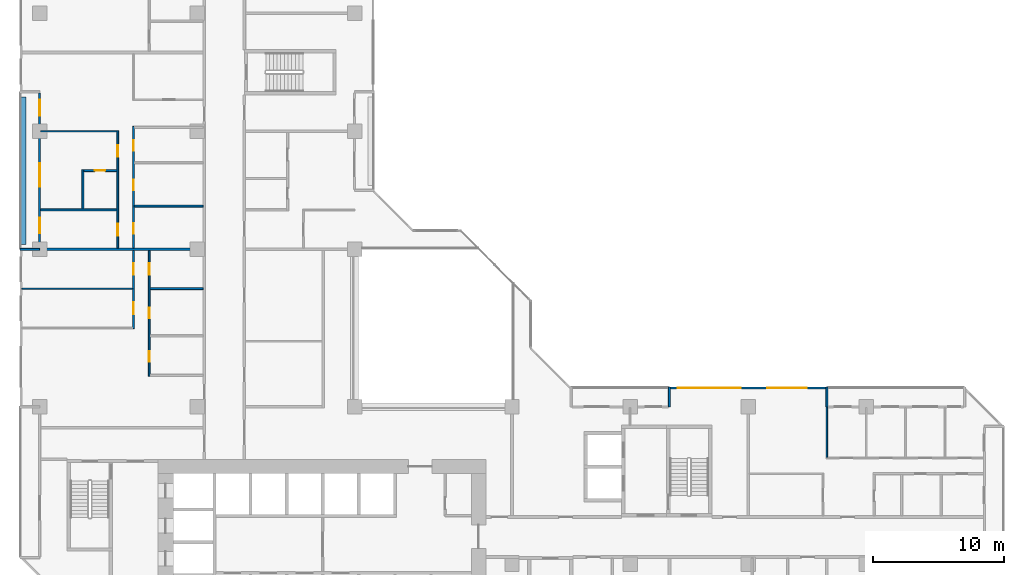
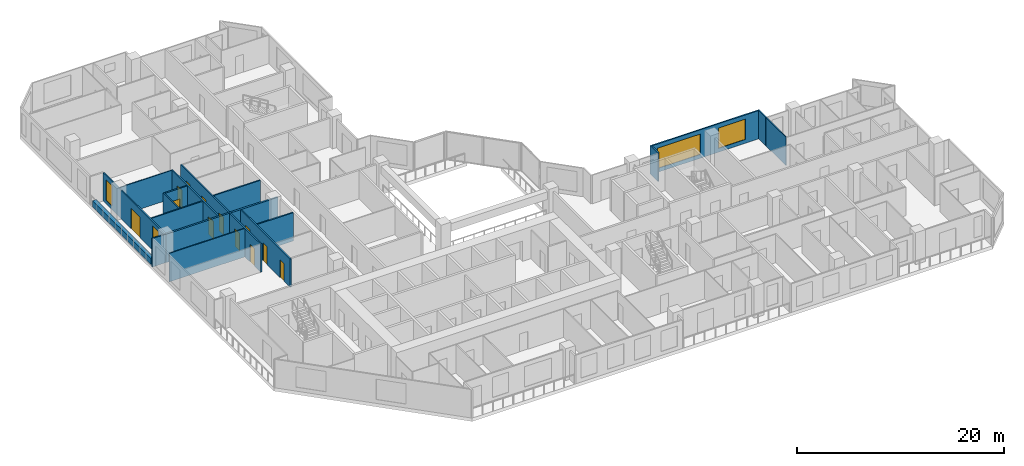
# One storey, part 8 of 15: 19 walls, 12 doors, 4 windows, 16 openings.
"""IFC4 building model written with IfcOpenShell, lengths in metres."""

from ifc_helpers import new_model, si_unit, direction, frame, frame_2d, origin, place, context, subcontext, project, spatial, rectangle, extrude, material, layer, layer_set, type_object, element, fill, save


model = new_model("IFC4")

# Units and contexts
model_context = context("Model", 3, precision=1e-05, world=origin(), true_north=direction((0.0, 1.0)))
body_context = subcontext(model_context, "Body", "Model", "MODEL_VIEW")
ifc_project = project(units=[si_unit("LENGTHUNIT", "METRE"), si_unit("AREAUNIT", "SQUARE_METRE"), si_unit("VOLUMEUNIT", "CUBIC_METRE"), si_unit("PLANEANGLEUNIT", "RADIAN"), si_unit("MASSUNIT", "GRAM", prefix="KILO")], contexts=[model_context])

# Site, building, storey
site_placement = place(None, origin())
site = spatial("IfcSite", under=ifc_project, at=site_placement, CompositionType="ELEMENT")
building_placement = place(site_placement, origin())
building = spatial("IfcBuilding", under=site, at=building_placement, Name="Chenar Terraces", CompositionType="ELEMENT")
storey_placement = place(building_placement, frame((0.0, 0.0, 45.14990234375)))
storey = spatial("IfcBuildingStorey", under=building, at=storey_placement, Name="L08", CompositionType="ELEMENT", Elevation=45.14990234375)

# Wall, openings, windows
ifc_material_1 = material(Name="Aluminium framed glazing", Category="aluminium")
ifc_layer_1 = layer(ifc_material_1, 0.14990234375)
ifc_layer_set_1 = layer_set([ifc_layer_1], Name="Aluminium framed glazing")
wall_type_1 = type_object("IfcWallType", Name="Glazed flush facade wall 150", PredefinedType="SOLIDWALL", material=ifc_layer_set_1)
wall_1_placement = place(storey_placement, frame((59.925048828125, 25.425048828125, 0.0), z_axis=(0.0, 0.0, 1.0), x_axis=(-1.0, 0.0, 0.0)))
wall_1 = element("IfcWall", 1, at=wall_1_placement, inside=storey, type_object=wall_type_1, Name="Glazed flush facade wall", PredefinedType="SOLIDWALL", context=body_context, shape_type="SweptSolid", body=[
    extrude(rectangle(XDim=11.85009765625, YDim=0.14990234375, at=frame_2d((5.925048828125, 0.0))), origin(), (0.0, 0.0, 1.0), 3.35009765625),
])
opening_1_placement = place(wall_1_placement, frame((1.46240234375, 0.0, 0.449951171875)))
opening_1 = element("IfcOpeningElement", 2, at=opening_1_placement, cuts=wall_1, Name="Opening W300x240", PredefinedType="OPENING", context=body_context, shape_type="SweptSolid", body=[
    extrude(rectangle(XDim=3.0, YDim=2.39990234375, at=frame_2d((1.5, 1.199951171875))), frame((0.0, 0.0849609375, 0.0), z_axis=(0.0, -1.0, 0.0), x_axis=(1.0, 0.0, 0.0)), (0.0, 0.0, 1.0), 0.169921875),
])
opening_2_placement = place(wall_1_placement, frame((6.487548828125, 0.0, 0.449951171875)))
opening_2 = element("IfcOpeningElement", 3, at=opening_2_placement, cuts=wall_1, Name="Opening W480x240", PredefinedType="OPENING", context=body_context, shape_type="SweptSolid", body=[
    extrude(rectangle(XDim=4.800048828125, YDim=2.39990234375, at=frame_2d((2.39990234375, 1.199951171875))), frame((0.0, 0.0849609375, 0.0), z_axis=(0.0, -1.0, 0.0), x_axis=(1.0, 0.0, 0.0)), (0.0, 0.0, 1.0), 0.169921875),
])
ifc_material_2 = material(Name="Low emissivity double glazing, aluminium frame", Category="aluminium")
window_type_1 = type_object("IfcWindowType", Name="Fixed light 3000 x 2400", PartitioningType="SINGLE_PANEL", PredefinedType="WINDOW", material=ifc_material_2)
window_1_placement = place(opening_1_placement, origin())
window_1 = element("IfcWindow", 4, at=window_1_placement, inside=storey, type_object=window_type_1, Name="Window", OverallHeight=2.39990234375, OverallWidth=3.0, PartitioningType="SINGLE_PANEL", PredefinedType="WINDOW", context=body_context, shape_type="SweptSolid", body=[
    extrude(rectangle(XDim=3.0, YDim=2.39990234375, at=frame_2d((1.5, 1.199951171875))), frame((0.0, 0.030029296875, 0.0), z_axis=(0.0, -1.0, 0.0), x_axis=(1.0, 0.0, 0.0)), (0.0, 0.0, 1.0), 0.06005859375),
])
fill(opening_1, window_1)
ifc_material_3 = material(Name="Low emissivity double glazing, aluminium frame", Category="aluminium")
window_type_2 = type_object("IfcWindowType", Name="Fixed light 4800 x 2400", PartitioningType="SINGLE_PANEL", PredefinedType="WINDOW", material=ifc_material_3)
window_2_placement = place(opening_2_placement, origin())
window_2 = element("IfcWindow", 5, at=window_2_placement, inside=storey, type_object=window_type_2, Name="Window", OverallHeight=2.39990234375, OverallWidth=4.800048828125, PartitioningType="SINGLE_PANEL", PredefinedType="WINDOW", context=body_context, shape_type="SweptSolid", body=[
    extrude(rectangle(XDim=4.800048828125, YDim=2.39990234375, at=frame_2d((2.39990234375, 1.199951171875))), frame((0.0, 0.030029296875, 0.0), z_axis=(0.0, -1.0, 0.0), x_axis=(1.0, 0.0, 0.0)), (0.0, 0.0, 1.0), 0.06005859375),
])
fill(opening_2, window_2)

# Wall, openings, windows, door
ifc_material_4 = material(Name="Aluminium framed glazing", Category="aluminium")
ifc_layer_2 = layer(ifc_material_4, 0.14990234375)
ifc_layer_set_2 = layer_set([ifc_layer_2], Name="Aluminium framed glazing")
wall_type_2 = type_object("IfcWallType", Name="Glazed loggia back wall 150", PredefinedType="SOLIDWALL", material=ifc_layer_set_2)
wall_2_placement = place(storey_placement, frame((0.0, 47.925048828125, 0.0), z_axis=(0.0, 0.0, 1.0), x_axis=(0.0, -1.0, 0.0)))
wall_2 = element("IfcWall", 6, at=wall_2_placement, inside=storey, type_object=wall_type_2, Name="Glazed loggia back wall", PredefinedType="SOLIDWALL", context=body_context, shape_type="SweptSolid", body=[
    extrude(rectangle(XDim=11.85009765625, YDim=0.14990234375, at=frame_2d((5.925048828125, 0.0))), origin(), (0.0, 0.0, 1.0), 3.35009765625),
])
opening_3_placement = place(wall_2_placement, frame((0.53759765625, 0.0, 0.449951171875)))
opening_3 = element("IfcOpeningElement", 7, at=opening_3_placement, cuts=wall_2, Name="Opening W120x240", PredefinedType="OPENING", context=body_context, shape_type="SweptSolid", body=[
    extrude(rectangle(XDim=1.199951171875, YDim=2.39990234375, at=frame_2d((0.60009765625, 1.199951171875))), frame((0.0, 0.0849609375, 0.0), z_axis=(0.0, -1.0, 0.0), x_axis=(1.0, 0.0, 0.0)), (0.0, 0.0, 1.0), 0.169921875),
])
opening_4_placement = place(wall_2_placement, frame((5.35009765625, 0.0, 0.0)))
opening_4 = element("IfcOpeningElement", 8, at=opening_4_placement, cuts=wall_2, Name="Opening DL08-G4", PredefinedType="OPENING", context=body_context, shape_type="SweptSolid", body=[
    extrude(rectangle(XDim=1.800048828125, YDim=2.39990234375, at=frame_2d((0.89990234375, 1.199951171875))), frame((0.0, 0.0849609375, 0.0), z_axis=(0.0, -1.0, 0.0), x_axis=(1.0, 0.0, 0.0)), (0.0, 0.0, 1.0), 0.169921875),
])
opening_5_placement = place(wall_2_placement, frame((9.5, 0.0, 0.449951171875)))
opening_5 = element("IfcOpeningElement", 9, at=opening_5_placement, cuts=wall_2, Name="Opening W120x240", PredefinedType="OPENING", context=body_context, shape_type="SweptSolid", body=[
    extrude(rectangle(XDim=1.199951171875, YDim=2.39990234375, at=frame_2d((0.60009765625, 1.199951171875))), frame((0.0, 0.0849609375, 0.0), z_axis=(0.0, -1.0, 0.0), x_axis=(1.0, 0.0, 0.0)), (0.0, 0.0, 1.0), 0.169921875),
])
ifc_material_5 = material(Name="Low emissivity double glazing, aluminium frame", Category="aluminium")
window_type_3 = type_object("IfcWindowType", Name="Fixed light 1200 x 2400", PartitioningType="SINGLE_PANEL", PredefinedType="WINDOW", material=ifc_material_5)
window_3_placement = place(opening_3_placement, origin())
window_3 = element("IfcWindow", 10, at=window_3_placement, inside=storey, type_object=window_type_3, Name="Window", OverallHeight=2.39990234375, OverallWidth=1.199951171875, PartitioningType="SINGLE_PANEL", PredefinedType="WINDOW", context=body_context, shape_type="SweptSolid", body=[
    extrude(rectangle(XDim=1.199951171875, YDim=2.39990234375, at=frame_2d((0.60009765625, 1.199951171875))), frame((0.0, 0.030029296875, 0.0), z_axis=(0.0, -1.0, 0.0), x_axis=(1.0, 0.0, 0.0)), (0.0, 0.0, 1.0), 0.06005859375),
])
fill(opening_3, window_3)
window_4_placement = place(opening_5_placement, origin())
window_4 = element("IfcWindow", 11, at=window_4_placement, inside=storey, type_object=window_type_3, Name="Window", OverallHeight=2.39990234375, OverallWidth=1.199951171875, PartitioningType="SINGLE_PANEL", PredefinedType="WINDOW", context=body_context, shape_type="SweptSolid", body=[
    extrude(rectangle(XDim=1.199951171875, YDim=2.39990234375, at=frame_2d((0.60009765625, 1.199951171875))), frame((0.0, 0.030029296875, 0.0), z_axis=(0.0, -1.0, 0.0), x_axis=(1.0, 0.0, 0.0)), (0.0, 0.0, 1.0), 0.06005859375),
])
fill(opening_5, window_4)
ifc_material_6 = material(Name="Low emissivity double glazing, aluminium frame", Category="aluminium")
door_type_1 = type_object("IfcDoorType", Name="Loggia glazed double door 1800 x 2400", OperationType="DOUBLE_DOOR_SINGLE_SWING", PredefinedType="DOOR", material=ifc_material_6)
door_1_placement = place(opening_4_placement, frame((1.800048828125, 0.0, 0.0), z_axis=(0.0, 0.0, 1.0), x_axis=(-1.0, 0.0, 0.0)))
door_1 = element("IfcDoor", 12, at=door_1_placement, inside=storey, type_object=door_type_1, Name="Loggia glazed door", OperationType="DOUBLE_DOOR_SINGLE_SWING", OverallHeight=2.39990234375, OverallWidth=1.800048828125, PredefinedType="DOOR", context=body_context, shape_type="SweptSolid", body=[
    extrude(rectangle(XDim=1.800048828125, YDim=2.39990234375, at=frame_2d((0.89990234375, 1.199951171875))), frame((0.0, 0.02490234375, 0.0), z_axis=(0.0, -1.0, 0.0), x_axis=(1.0, 0.0, 0.0)), (0.0, 0.0, 1.0), 0.050048828125),
])
fill(opening_4, door_1)

# Walls
ifc_material_7 = material(Name="Gypsum board on steel studs", Category="steel")
ifc_layer_3 = layer(ifc_material_7, 0.10009765625)
ifc_layer_set_3 = layer_set([ifc_layer_3], Name="Gypsum board on steel studs")
wall_type_3 = type_object("IfcWallType", Name="Gypsum partition 100", PredefinedType="PARTITIONING", material=ifc_layer_set_3)
wall_3_placement = place(storey_placement, frame((-1.35107421875, 33.0, 0.0), z_axis=(0.0, 0.0, 1.0), x_axis=(1.0, 0.0, 0.0)))
element("IfcWall", 13, at=wall_3_placement, inside=storey, type_object=wall_type_3, Name="Partition L08-001", PredefinedType="PARTITIONING", context=body_context, shape_type="SweptSolid", body=[
    extrude(rectangle(XDim=8.426025390625, YDim=0.10009765625, at=frame_2d((4.212890625, 0.0))), origin(), (0.0, 0.0, 1.0), 3.35009765625),
])
wall_4_placement = place(storey_placement, frame((0.073974609375, 45.0, 0.0), z_axis=(0.0, 0.0, 1.0), x_axis=(1.0, 0.0, 0.0)))
element("IfcWall", 14, at=wall_4_placement, inside=storey, type_object=wall_type_3, Name="Partition L08-010", PredefinedType="PARTITIONING", context=body_context, shape_type="SweptSolid", body=[
    extrude(rectangle(XDim=5.801025390625, YDim=0.10009765625, at=frame_2d((2.900390625, 0.0))), origin(), (0.0, 0.0, 1.0), 3.35009765625),
])
wall_5_placement = place(storey_placement, frame((60.0, 20.14990234375, 0.0), z_axis=(0.0, 0.0, 1.0), x_axis=(0.0, 1.0, 0.0)))
element("IfcWall", 15, at=wall_5_placement, inside=storey, type_object=wall_type_3, Name="Partition L08-086", PredefinedType="PARTITIONING", context=body_context, shape_type="SweptSolid", body=[
    extrude(rectangle(XDim=3.85009765625, YDim=0.10009765625, at=frame_2d((1.925048828125, 0.0))), origin(), (0.0, 0.0, 1.0), 3.35009765625),
])
ifc_material_8 = material(Name="Terracotta cladding on insulated backing", Category="masonry")
ifc_layer_4 = layer(ifc_material_8, 0.14990234375)
ifc_layer_set_4 = layer_set([ifc_layer_4], Name="Terracotta cladding on insulated backing")
wall_type_4 = type_object("IfcWallType", Name="Loggia return wall 150", PredefinedType="SOLIDWALL", material=ifc_layer_set_4)
for number, where, z_axis, x_axis, name in (
    (16, (60.0, 25.5, 0.0), (0.0, 0.0, 1.0), (0.0, -1.0, 0.0), "Loggia return wall"),
    (17, (48.0, 25.5, 0.0), (0.0, 0.0, 1.0), (0.0, -1.0, 0.0), "Loggia return wall"),
    (18, (-1.5, 36.0, 0.0), (0.0, 0.0, 1.0), (1.0, 0.0, 0.0), "Loggia return wall"),
):
    element("IfcWall", number, at=place(storey_placement, frame(where, z_axis=z_axis, x_axis=x_axis)), inside=storey, type_object=wall_type_4, Name=name, PredefinedType="SOLIDWALL", context=body_context, shape_type="SweptSolid", body=[
        extrude(rectangle(XDim=1.5, YDim=0.14990234375, at=frame_2d((0.75, 0.0))), origin(), (0.0, 0.0, 1.0), 3.35009765625),
    ])
ifc_material_9 = material(Name="Twin gypsum board on steel studs with mineral wool", Category="steel")
ifc_layer_5 = layer(ifc_material_9, 0.199951171875)
ifc_layer_set_5 = layer_set([ifc_layer_5], Name="Twin gypsum board on steel studs with mineral wool")
wall_type_5 = type_object("IfcWallType", Name="Unit demising wall 200", PredefinedType="PARTITIONING", material=ifc_layer_set_5)
wall_6_placement = place(storey_placement, frame((0.0, 36.0, 0.0), z_axis=(0.0, 0.0, 1.0), x_axis=(1.0, 0.0, 0.0)))
element("IfcWall", 19, at=wall_6_placement, inside=storey, type_object=wall_type_5, Name="Partition L08-004", PredefinedType="PARTITIONING", context=body_context, shape_type="SweptSolid", body=[
    extrude(rectangle(XDim=12.449951171875, YDim=0.199951171875, at=frame_2d((6.22509765625, 0.0))), origin(), (0.0, 0.0, 1.0), 3.35009765625),
])
ifc_material_10 = material(Name="GRP planter trough")
ifc_layer_6 = layer(ifc_material_10, 0.39990234375)
ifc_layer_set_6 = layer_set([ifc_layer_6], Name="GRP planter trough")
wall_type_6 = type_object("IfcWallType", Name="Vertical greenery planter 400", PredefinedType="SOLIDWALL", material=ifc_layer_set_6)
wall_7_placement = place(storey_placement, frame((-1.22900390625, 47.625, 0.0), z_axis=(0.0, 0.0, 1.0), x_axis=(0.0, -1.0, 0.0)))
element("IfcWall", 20, at=wall_7_placement, inside=storey, type_object=wall_type_6, Name="Vertical greenery planter", PredefinedType="SOLIDWALL", context=body_context, shape_type="SweptSolid", body=[
    extrude(rectangle(XDim=11.25, YDim=0.39990234375, at=frame_2d((5.625, 0.0))), origin(), (0.0, 0.0, 1.0), 0.7001953125),
])
ifc_material_11 = material(Name="Moisture-resistant gypsum board on steel studs", Category="steel")
ifc_layer_7 = layer(ifc_material_11, 0.14990234375)
ifc_layer_set_7 = layer_set([ifc_layer_7], Name="Moisture-resistant gypsum board on steel studs")
wall_type_7 = type_object("IfcWallType", Name="Wet-room partition 150", PredefinedType="PARTITIONING", material=ifc_layer_set_7)
wall_8_placement = place(storey_placement, frame((0.073974609375, 39.0, 0.0), z_axis=(0.0, 0.0, 1.0), x_axis=(1.0, 0.0, 0.0)))
element("IfcWall", 21, at=wall_8_placement, inside=storey, type_object=wall_type_7, Name="Partition L08-009", PredefinedType="PARTITIONING", context=body_context, shape_type="SweptSolid", body=[
    extrude(rectangle(XDim=5.801025390625, YDim=0.14990234375, at=frame_2d((2.900390625, 0.0))), origin(), (0.0, 0.0, 1.0), 3.35009765625),
])
wall_9_placement = place(storey_placement, frame((3.300048828125, 39.074951171875, 0.0), z_axis=(0.0, 0.0, 1.0), x_axis=(0.0, 1.0, 0.0)))
element("IfcWall", 22, at=wall_9_placement, inside=storey, type_object=wall_type_7, Name="Partition L08-012", PredefinedType="PARTITIONING", context=body_context, shape_type="SweptSolid", body=[
    extrude(rectangle(XDim=3.0, YDim=0.14990234375, at=frame_2d((1.5, 0.0))), origin(), (0.0, 0.0, 1.0), 3.35009765625),
])

# Wall, opening, door
wall_10_placement = place(storey_placement, frame((3.375, 42.0, 0.0), z_axis=(0.0, 0.0, 1.0), x_axis=(1.0, 0.0, 0.0)))
wall_10 = element("IfcWall", 23, at=wall_10_placement, inside=storey, type_object=wall_type_7, Name="Partition L08-013", PredefinedType="PARTITIONING", context=body_context, shape_type="SweptSolid", body=[
    extrude(rectangle(XDim=2.5, YDim=0.14990234375, at=frame_2d((1.25, 0.0))), origin(), (0.0, 0.0, 1.0), 3.35009765625),
])
opening_6_placement = place(wall_10_placement, frame((0.824951171875, 0.0, 0.0)))
opening_6 = element("IfcOpeningElement", 24, at=opening_6_placement, cuts=wall_10, Name="Opening DL08-36", PredefinedType="OPENING", context=body_context, shape_type="SweptSolid", body=[
    extrude(rectangle(XDim=0.800048828125, YDim=2.10009765625, at=frame_2d((0.39990234375, 1.050048828125))), frame((0.0, 0.0849609375, 0.0), z_axis=(0.0, -1.0, 0.0), x_axis=(1.0, 0.0, 0.0)), (0.0, 0.0, 1.0), 0.169921875),
])
ifc_material_12 = material(Name="Veneered timber door leaf", Category="wood")
door_type_2 = type_object("IfcDoorType", Name="Door 800 x 2100", OperationType="SINGLE_SWING_LEFT", PredefinedType="DOOR", material=ifc_material_12)
door_2_placement = place(opening_6_placement, frame((0.800048828125, 0.0, 0.0), z_axis=(0.0, 0.0, 1.0), x_axis=(-1.0, 0.0, 0.0)))
door_2 = element("IfcDoor", 25, at=door_2_placement, inside=storey, type_object=door_type_2, Name="Door DL08-36", OperationType="SINGLE_SWING_LEFT", OverallHeight=2.10009765625, OverallWidth=0.800048828125, PredefinedType="DOOR", context=body_context, shape_type="SweptSolid", body=[
    extrude(rectangle(XDim=0.800048828125, YDim=2.10009765625, at=frame_2d((0.39990234375, 1.050048828125))), frame((0.0, 0.02490234375, 0.0), z_axis=(0.0, -1.0, 0.0), x_axis=(1.0, 0.0, 0.0)), (0.0, 0.0, 1.0), 0.050048828125),
])
fill(opening_6, door_2)

# Wall, openings, doors
wall_11_placement = place(storey_placement, frame((5.949951171875, 36.10009765625, 0.0), z_axis=(0.0, 0.0, 1.0), x_axis=(0.0, 1.0, 0.0)))
wall_11 = element("IfcWall", 26, at=wall_11_placement, inside=storey, type_object=wall_type_7, Name="Partition L08-014", PredefinedType="PARTITIONING", context=body_context, shape_type="SweptSolid", body=[
    extrude(rectangle(XDim=8.949951171875, YDim=0.14990234375, at=frame_2d((4.47509765625, 0.0))), origin(), (0.0, 0.0, 1.0), 3.35009765625),
])
opening_7_placement = place(wall_11_placement, frame((0.949951171875, 0.0, 0.0)))
opening_7 = element("IfcOpeningElement", 27, at=opening_7_placement, cuts=wall_11, Name="Opening DL08-34", PredefinedType="OPENING", context=body_context, shape_type="SweptSolid", body=[
    extrude(rectangle(XDim=0.89990234375, YDim=2.10009765625, at=frame_2d((0.449951171875, 1.050048828125))), frame((0.0, 0.0849609375, 0.0), z_axis=(0.0, -1.0, 0.0), x_axis=(1.0, 0.0, 0.0)), (0.0, 0.0, 1.0), 0.169921875),
])
opening_8_placement = place(wall_11_placement, frame((6.949951171875, 0.0, 0.0)))
opening_8 = element("IfcOpeningElement", 28, at=opening_8_placement, cuts=wall_11, Name="Opening DL08-35", PredefinedType="OPENING", context=body_context, shape_type="SweptSolid", body=[
    extrude(rectangle(XDim=0.89990234375, YDim=2.10009765625, at=frame_2d((0.449951171875, 1.050048828125))), frame((0.0, 0.0849609375, 0.0), z_axis=(0.0, -1.0, 0.0), x_axis=(1.0, 0.0, 0.0)), (0.0, 0.0, 1.0), 0.169921875),
])
ifc_material_13 = material(Name="Veneered timber door leaf", Category="wood")
door_type_3 = type_object("IfcDoorType", Name="Door 900 x 2100", OperationType="SINGLE_SWING_LEFT", PredefinedType="DOOR", material=ifc_material_13)
door_3_placement = place(opening_7_placement, origin())
door_3 = element("IfcDoor", 29, at=door_3_placement, inside=storey, type_object=door_type_3, Name="Door DL08-34", OperationType="SINGLE_SWING_RIGHT", OverallHeight=2.10009765625, OverallWidth=0.89990234375, PredefinedType="DOOR", context=body_context, shape_type="SweptSolid", body=[
    extrude(rectangle(XDim=0.89990234375, YDim=2.10009765625, at=frame_2d((0.449951171875, 1.050048828125))), frame((0.0, 0.02490234375, 0.0), z_axis=(0.0, -1.0, 0.0), x_axis=(1.0, 0.0, 0.0)), (0.0, 0.0, 1.0), 0.050048828125),
])
fill(opening_7, door_3)
door_4_placement = place(opening_8_placement, origin())
door_4 = element("IfcDoor", 30, at=door_4_placement, inside=storey, type_object=door_type_3, Name="Door DL08-35", OperationType="SINGLE_SWING_RIGHT", OverallHeight=2.10009765625, OverallWidth=0.89990234375, PredefinedType="DOOR", context=body_context, shape_type="SweptSolid", body=[
    extrude(rectangle(XDim=0.89990234375, YDim=2.10009765625, at=frame_2d((0.449951171875, 1.050048828125))), frame((0.0, 0.02490234375, 0.0), z_axis=(0.0, -1.0, 0.0), x_axis=(1.0, 0.0, 0.0)), (0.0, 0.0, 1.0), 0.050048828125),
])
fill(opening_8, door_4)

wall_12_placement = place(storey_placement, frame((7.14990234375, 29.949951171875, 0.0), z_axis=(0.0, 0.0, 1.0), x_axis=(0.0, 1.0, 0.0)))
wall_12 = element("IfcWall", 31, at=wall_12_placement, inside=storey, type_object=wall_type_7, Name="Partition L08-016", PredefinedType="PARTITIONING", context=body_context, shape_type="SweptSolid", body=[
    extrude(rectangle(XDim=5.949951171875, YDim=0.14990234375, at=frame_2d((2.97509765625, 0.0))), origin(), (0.0, 0.0, 1.0), 3.35009765625),
])
opening_9_placement = place(wall_12_placement, frame((1.10009765625, 0.0, 0.0)))
opening_9 = element("IfcOpeningElement", 32, at=opening_9_placement, cuts=wall_12, Name="Opening DL08-66", PredefinedType="OPENING", context=body_context, shape_type="SweptSolid", body=[
    extrude(rectangle(XDim=0.89990234375, YDim=2.10009765625, at=frame_2d((0.449951171875, 1.050048828125))), frame((0.0, 0.0849609375, 0.0), z_axis=(0.0, -1.0, 0.0), x_axis=(1.0, 0.0, 0.0)), (0.0, 0.0, 1.0), 0.169921875),
])
opening_10_placement = place(wall_12_placement, frame((4.10009765625, 0.0, 0.0)))
opening_10 = element("IfcOpeningElement", 33, at=opening_10_placement, cuts=wall_12, Name="Opening DL08-67", PredefinedType="OPENING", context=body_context, shape_type="SweptSolid", body=[
    extrude(rectangle(XDim=0.89990234375, YDim=2.10009765625, at=frame_2d((0.449951171875, 1.050048828125))), frame((0.0, 0.0849609375, 0.0), z_axis=(0.0, -1.0, 0.0), x_axis=(1.0, 0.0, 0.0)), (0.0, 0.0, 1.0), 0.169921875),
])
door_5_placement = place(opening_9_placement, origin())
door_5 = element("IfcDoor", 34, at=door_5_placement, inside=storey, type_object=door_type_3, Name="Door DL08-66", OperationType="SINGLE_SWING_LEFT", OverallHeight=2.10009765625, OverallWidth=0.89990234375, PredefinedType="DOOR", context=body_context, shape_type="SweptSolid", body=[
    extrude(rectangle(XDim=0.89990234375, YDim=2.10009765625, at=frame_2d((0.449951171875, 1.050048828125))), frame((0.0, 0.02490234375, 0.0), z_axis=(0.0, -1.0, 0.0), x_axis=(1.0, 0.0, 0.0)), (0.0, 0.0, 1.0), 0.050048828125),
])
fill(opening_9, door_5)
door_6_placement = place(opening_10_placement, origin())
door_6 = element("IfcDoor", 35, at=door_6_placement, inside=storey, type_object=door_type_3, Name="Door DL08-67", OperationType="SINGLE_SWING_RIGHT", OverallHeight=2.10009765625, OverallWidth=0.89990234375, PredefinedType="DOOR", context=body_context, shape_type="SweptSolid", body=[
    extrude(rectangle(XDim=0.89990234375, YDim=2.10009765625, at=frame_2d((0.449951171875, 1.050048828125))), frame((0.0, 0.02490234375, 0.0), z_axis=(0.0, -1.0, 0.0), x_axis=(1.0, 0.0, 0.0)), (0.0, 0.0, 1.0), 0.050048828125),
])
fill(opening_10, door_6)

wall_13_placement = place(storey_placement, frame((7.14990234375, 36.10009765625, 0.0), z_axis=(0.0, 0.0, 1.0), x_axis=(0.0, 1.0, 0.0)))
wall_13 = element("IfcWall", 36, at=wall_13_placement, inside=storey, type_object=wall_type_7, Name="Partition L08-017", PredefinedType="PARTITIONING", context=body_context, shape_type="SweptSolid", body=[
    extrude(rectangle(XDim=9.27490234375, YDim=0.14990234375, at=frame_2d((4.637451171875, 0.0))), origin(), (0.0, 0.0, 1.0), 3.35009765625),
])
opening_11_placement = place(wall_13_placement, frame((7.39990234375, 0.0, 0.0)))
opening_11 = element("IfcOpeningElement", 37, at=opening_11_placement, cuts=wall_13, Name="Opening DL08-33", PredefinedType="OPENING", context=body_context, shape_type="SweptSolid", body=[
    extrude(rectangle(XDim=0.800048828125, YDim=2.10009765625, at=frame_2d((0.39990234375, 1.050048828125))), frame((0.0, 0.0849609375, 0.0), z_axis=(0.0, -1.0, 0.0), x_axis=(1.0, 0.0, 0.0)), (0.0, 0.0, 1.0), 0.169921875),
])
opening_12_placement = place(wall_13_placement, frame((1.10009765625, 0.0, 0.0)))
opening_12 = element("IfcOpeningElement", 38, at=opening_12_placement, cuts=wall_13, Name="Opening DL08-38", PredefinedType="OPENING", context=body_context, shape_type="SweptSolid", body=[
    extrude(rectangle(XDim=0.800048828125, YDim=2.10009765625, at=frame_2d((0.39990234375, 1.050048828125))), frame((0.0, 0.0849609375, 0.0), z_axis=(0.0, -1.0, 0.0), x_axis=(1.0, 0.0, 0.0)), (0.0, 0.0, 1.0), 0.169921875),
])
opening_13_placement = place(wall_13_placement, frame((4.39990234375, 0.0, 0.0)))
opening_13 = element("IfcOpeningElement", 39, at=opening_13_placement, cuts=wall_13, Name="Opening DL08-39", PredefinedType="OPENING", context=body_context, shape_type="SweptSolid", body=[
    extrude(rectangle(XDim=0.800048828125, YDim=2.10009765625, at=frame_2d((0.39990234375, 1.050048828125))), frame((0.0, 0.0849609375, 0.0), z_axis=(0.0, -1.0, 0.0), x_axis=(1.0, 0.0, 0.0)), (0.0, 0.0, 1.0), 0.169921875),
])
door_7_placement = place(opening_11_placement, frame((0.800048828125, 0.0, 0.0), z_axis=(0.0, 0.0, 1.0), x_axis=(-1.0, 0.0, 0.0)))
door_7 = element("IfcDoor", 40, at=door_7_placement, inside=storey, type_object=door_type_2, Name="Door DL08-33", OperationType="SINGLE_SWING_RIGHT", OverallHeight=2.10009765625, OverallWidth=0.800048828125, PredefinedType="DOOR", context=body_context, shape_type="SweptSolid", body=[
    extrude(rectangle(XDim=0.800048828125, YDim=2.10009765625, at=frame_2d((0.39990234375, 1.050048828125))), frame((0.0, 0.02490234375, 0.0), z_axis=(0.0, -1.0, 0.0), x_axis=(1.0, 0.0, 0.0)), (0.0, 0.0, 1.0), 0.050048828125),
])
fill(opening_11, door_7)
door_8_placement = place(opening_12_placement, frame((0.800048828125, 0.0, 0.0), z_axis=(0.0, 0.0, 1.0), x_axis=(-1.0, 0.0, 0.0)))
door_8 = element("IfcDoor", 41, at=door_8_placement, inside=storey, type_object=door_type_2, Name="Door DL08-38", OperationType="SINGLE_SWING_RIGHT", OverallHeight=2.10009765625, OverallWidth=0.800048828125, PredefinedType="DOOR", context=body_context, shape_type="SweptSolid", body=[
    extrude(rectangle(XDim=0.800048828125, YDim=2.10009765625, at=frame_2d((0.39990234375, 1.050048828125))), frame((0.0, 0.02490234375, 0.0), z_axis=(0.0, -1.0, 0.0), x_axis=(1.0, 0.0, 0.0)), (0.0, 0.0, 1.0), 0.050048828125),
])
fill(opening_12, door_8)
door_9_placement = place(opening_13_placement, frame((0.800048828125, 0.0, 0.0), z_axis=(0.0, 0.0, 1.0), x_axis=(-1.0, 0.0, 0.0)))
door_9 = element("IfcDoor", 42, at=door_9_placement, inside=storey, type_object=door_type_2, Name="Door DL08-39", OperationType="SINGLE_SWING_RIGHT", OverallHeight=2.10009765625, OverallWidth=0.800048828125, PredefinedType="DOOR", context=body_context, shape_type="SweptSolid", body=[
    extrude(rectangle(XDim=0.800048828125, YDim=2.10009765625, at=frame_2d((0.39990234375, 1.050048828125))), frame((0.0, 0.02490234375, 0.0), z_axis=(0.0, -1.0, 0.0), x_axis=(1.0, 0.0, 0.0)), (0.0, 0.0, 1.0), 0.050048828125),
])
fill(opening_13, door_9)

# Wall
wall_14_placement = place(storey_placement, frame((7.22509765625, 39.300048828125, 0.0), z_axis=(0.0, 0.0, 1.0), x_axis=(1.0, 0.0, 0.0)))
element("IfcWall", 43, at=wall_14_placement, inside=storey, type_object=wall_type_7, Name="Partition L08-020", PredefinedType="PARTITIONING", context=body_context, shape_type="SweptSolid", body=[
    extrude(rectangle(XDim=5.224853515625, YDim=0.14990234375, at=frame_2d((2.6123046875, 0.0))), origin(), (0.0, 0.0, 1.0), 3.35009765625),
])

# Wall, openings, doors
wall_15_placement = place(storey_placement, frame((8.35009765625, 26.324951171875, 0.0), z_axis=(0.0, 0.0, 1.0), x_axis=(0.0, 1.0, 0.0)))
wall_15 = element("IfcWall", 44, at=wall_15_placement, inside=storey, type_object=wall_type_7, Name="Partition L08-024", PredefinedType="PARTITIONING", context=body_context, shape_type="SweptSolid", body=[
    extrude(rectangle(XDim=9.574951171875, YDim=0.14990234375, at=frame_2d((4.78759765625, 0.0))), origin(), (0.0, 0.0, 1.0), 3.35009765625),
])
opening_14_placement = place(wall_15_placement, frame((4.425048828125, 0.0, 0.0)))
opening_14 = element("IfcOpeningElement", 45, at=opening_14_placement, cuts=wall_15, Name="Opening DL08-65", PredefinedType="OPENING", context=body_context, shape_type="SweptSolid", body=[
    extrude(rectangle(XDim=0.800048828125, YDim=2.10009765625, at=frame_2d((0.39990234375, 1.050048828125))), frame((0.0, 0.0849609375, 0.0), z_axis=(0.0, -1.0, 0.0), x_axis=(1.0, 0.0, 0.0)), (0.0, 0.0, 1.0), 0.169921875),
])
opening_15_placement = place(wall_15_placement, frame((7.72509765625, 0.0, 0.0)))
opening_15 = element("IfcOpeningElement", 46, at=opening_15_placement, cuts=wall_15, Name="Opening DL08-68", PredefinedType="OPENING", context=body_context, shape_type="SweptSolid", body=[
    extrude(rectangle(XDim=0.89990234375, YDim=2.10009765625, at=frame_2d((0.449951171875, 1.050048828125))), frame((0.0, 0.0849609375, 0.0), z_axis=(0.0, -1.0, 0.0), x_axis=(1.0, 0.0, 0.0)), (0.0, 0.0, 1.0), 0.169921875),
])
opening_16_placement = place(wall_15_placement, frame((1.125, 0.0, 0.0)))
opening_16 = element("IfcOpeningElement", 47, at=opening_16_placement, cuts=wall_15, Name="Opening DL08-70", PredefinedType="OPENING", context=body_context, shape_type="SweptSolid", body=[
    extrude(rectangle(XDim=0.800048828125, YDim=2.10009765625, at=frame_2d((0.39990234375, 1.050048828125))), frame((0.0, 0.0849609375, 0.0), z_axis=(0.0, -1.0, 0.0), x_axis=(1.0, 0.0, 0.0)), (0.0, 0.0, 1.0), 0.169921875),
])
door_10_placement = place(opening_14_placement, frame((0.800048828125, 0.0, 0.0), z_axis=(0.0, 0.0, 1.0), x_axis=(-1.0, 0.0, 0.0)))
door_10 = element("IfcDoor", 48, at=door_10_placement, inside=storey, type_object=door_type_2, Name="Door DL08-65", OperationType="SINGLE_SWING_RIGHT", OverallHeight=2.10009765625, OverallWidth=0.800048828125, PredefinedType="DOOR", context=body_context, shape_type="SweptSolid", body=[
    extrude(rectangle(XDim=0.800048828125, YDim=2.10009765625, at=frame_2d((0.39990234375, 1.050048828125))), frame((0.0, 0.02490234375, 0.0), z_axis=(0.0, -1.0, 0.0), x_axis=(1.0, 0.0, 0.0)), (0.0, 0.0, 1.0), 0.050048828125),
])
fill(opening_14, door_10)
door_11_placement = place(opening_16_placement, frame((0.800048828125, 0.0, 0.0), z_axis=(0.0, 0.0, 1.0), x_axis=(-1.0, 0.0, 0.0)))
door_11 = element("IfcDoor", 49, at=door_11_placement, inside=storey, type_object=door_type_2, Name="Door DL08-70", OperationType="SINGLE_SWING_RIGHT", OverallHeight=2.10009765625, OverallWidth=0.800048828125, PredefinedType="DOOR", context=body_context, shape_type="SweptSolid", body=[
    extrude(rectangle(XDim=0.800048828125, YDim=2.10009765625, at=frame_2d((0.39990234375, 1.050048828125))), frame((0.0, 0.02490234375, 0.0), z_axis=(0.0, -1.0, 0.0), x_axis=(1.0, 0.0, 0.0)), (0.0, 0.0, 1.0), 0.050048828125),
])
fill(opening_16, door_11)
door_12_placement = place(opening_15_placement, frame((0.89990234375, 0.0, 0.0), z_axis=(0.0, 0.0, 1.0), x_axis=(-1.0, 0.0, 0.0)))
door_12 = element("IfcDoor", 50, at=door_12_placement, inside=storey, type_object=door_type_3, Name="Door DL08-68", OperationType="SINGLE_SWING_RIGHT", OverallHeight=2.10009765625, OverallWidth=0.89990234375, PredefinedType="DOOR", context=body_context, shape_type="SweptSolid", body=[
    extrude(rectangle(XDim=0.89990234375, YDim=2.10009765625, at=frame_2d((0.449951171875, 1.050048828125))), frame((0.0, 0.02490234375, 0.0), z_axis=(0.0, -1.0, 0.0), x_axis=(1.0, 0.0, 0.0)), (0.0, 0.0, 1.0), 0.050048828125),
])
fill(opening_15, door_12)

# Wall
wall_16_placement = place(storey_placement, frame((8.425048828125, 33.0, 0.0), z_axis=(0.0, 0.0, 1.0), x_axis=(1.0, 0.0, 0.0)))
element("IfcWall", 51, at=wall_16_placement, inside=storey, type_object=wall_type_7, Name="Partition L08-029", PredefinedType="PARTITIONING", context=body_context, shape_type="SweptSolid", body=[
    extrude(rectangle(XDim=4.02490234375, YDim=0.14990234375, at=frame_2d((2.012451171875, 0.0))), origin(), (0.0, 0.0, 1.0), 3.35009765625),
])

save(model, "model.ifc")
